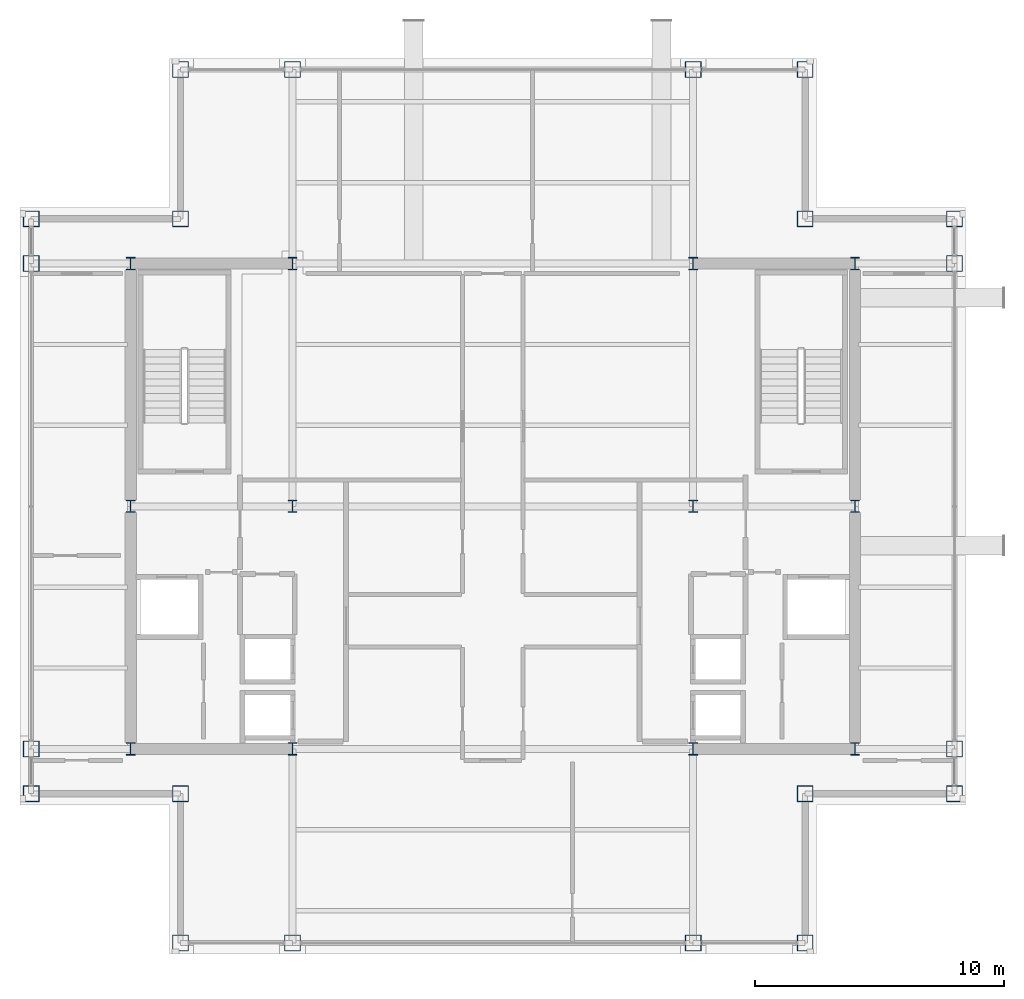
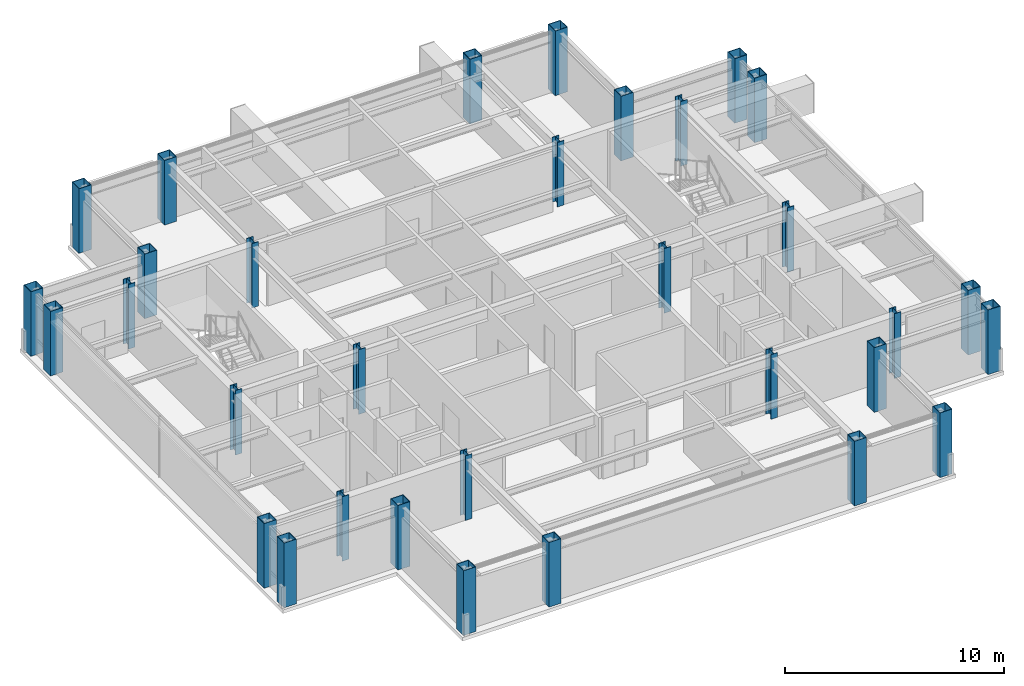
# One storey, part 1 of 20: 32 columns.
"""IFC4 building model written with IfcOpenShell, lengths in metres."""

import ifcopenshell
import ifcopenshell.guid

model = None  # the IFC model being written
_history = None  # IfcOwnerHistory: only IFC2X3 demands one
_inside = {}  # id of a spatial element -> (the spatial element, [elements in it])
_under = {}  # id of a project, library or spatial element -> (it, [spatial elements below it])
_declared = {}  # id of a project -> (the project, [libraries it declares])
_typed = {}  # id of a type object -> (the type object, [elements of that type])
_made_of = {}  # id of a material, layer set ... -> (it, [elements and type objects made of it])


def new_model(schema):
    """Start an empty IFC model of exactly this schema.

    Asked for "IFC4X3", IfcOpenShell would pick the latest addendum, in which some entities
    have other attributes; the version numbers below select the first issue.
    IFC2X3 requires an IfcOwnerHistory on every rooted entity: one is made here for all.
    """
    global model, _history
    if schema == "IFC4X3":
        model = ifcopenshell.file(schema_version=(4, 3, 0, 0))
    else:
        model = ifcopenshell.file(schema=schema)
    _inside.clear()
    _under.clear()
    _declared.clear()
    _typed.clear()
    _made_of.clear()
    _history = None
    if model.schema == "IFC2X3":
        org = make("IfcOrganization", Name="unknown")
        user = make(
            "IfcPersonAndOrganization",
            ThePerson=make("IfcPerson", FamilyName="unknown"),
            TheOrganization=org,
        )
        app = make(
            "IfcApplication",
            ApplicationDeveloper=org,
            Version="unknown",
            ApplicationFullName="unknown",
            ApplicationIdentifier="unknown",
        )
        _history = make(
            "IfcOwnerHistory",
            OwningUser=user,
            OwningApplication=app,
            ChangeAction="ADDED",
            CreationDate=0,
        )
    return model


def make(cls, **values):
    """One entity of the class cls with the attributes given. An attribute that is None is left unset."""
    return model.create_entity(
        cls, **{name: value for name, value in values.items() if value is not None}
    )


def rooted(cls, **values):
    """An entity with a GlobalId (a new one), such as an element, a storey or a relation."""
    return make(cls, GlobalId=ifcopenshell.guid.new(), OwnerHistory=_history, **values)


def si_unit(unit_type, name, prefix=None):
    """IfcSIUnit, for example si_unit("LENGTHUNIT", "METRE", prefix="MILLI")."""
    return make("IfcSIUnit", UnitType=unit_type, Prefix=prefix, Name=name)


def assignment(units):
    """IfcUnitAssignment: the units of a project."""
    return None if units is None else make("IfcUnitAssignment", Units=units)


def point(xyz):
    """IfcCartesianPoint."""
    return None if xyz is None else make("IfcCartesianPoint", Coordinates=xyz)


def direction(xyz):
    """IfcDirection."""
    return None if xyz is None else make("IfcDirection", DirectionRatios=xyz)


def frame(location, z_axis=None, x_axis=None):
    """IfcAxis2Placement3D, a coordinate frame: its origin and axes. An axis left out is left unset."""
    return make(
        "IfcAxis2Placement3D",
        Location=point(location),
        Axis=direction(z_axis),
        RefDirection=direction(x_axis),
    )


def frame_2d(location, x_axis=None):
    """IfcAxis2Placement2D, a coordinate frame in the plane: its origin and x axis."""
    return make(
        "IfcAxis2Placement2D", Location=point(location), RefDirection=direction(x_axis)
    )


def origin():
    """The frame at (0, 0, 0) with its axes left unset."""
    return frame((0.0, 0.0, 0.0))


def origin_2d():
    """The frame at (0, 0) in the plane with its x axis left unset."""
    return frame_2d((0.0, 0.0))


def place(relative_to, where):
    """IfcLocalPlacement: puts the frame where relative to a parent placement (None: the world)."""
    return make(
        "IfcLocalPlacement", PlacementRelTo=relative_to, RelativePlacement=where
    )


def context(
    kind, dimensions, precision=None, world=None, true_north=None, identifier=None
):
    """IfcGeometricRepresentationContext, for example the 3D "Model" context."""
    return make(
        "IfcGeometricRepresentationContext",
        ContextIdentifier=identifier,
        ContextType=kind,
        CoordinateSpaceDimension=dimensions,
        Precision=precision,
        WorldCoordinateSystem=world,
        TrueNorth=true_north,
    )


def subcontext(parent, identifier, kind, view, scale=None):
    """IfcGeometricRepresentationSubContext, for example "Body" below "Model"."""
    return make(
        "IfcGeometricRepresentationSubContext",
        ContextIdentifier=identifier,
        ContextType=kind,
        ParentContext=parent,
        TargetScale=scale,
        TargetView=view,
    )


def project(units=None, contexts=None):
    """IfcProject with its units and contexts."""
    return rooted(
        "IfcProject",
        Name="project",
        RepresentationContexts=contexts,
        UnitsInContext=assignment(units),
    )


def spatial(cls, under=None, at=None, **own):
    """A site, building, storey or space (cls), placed at a placement, below another one or the project."""
    s = rooted(cls, ObjectPlacement=at, **own)
    if under is not None:
        _under.setdefault(under.id(), (under, []))[1].append(s)
    return s


def profile(cls, at=None, kind="AREA", **sizes):
    """A parametric profile (cls). Its sizes go by their IFC names, for example OverallWidth=200.0."""
    return make(cls, ProfileType=kind, Position=at, **sizes)


def hollow_rectangle(**sizes):
    """IfcRectangleHollowProfileDef."""
    return profile("IfcRectangleHollowProfileDef", **sizes)


def i_section(**sizes):
    """IfcIShapeProfileDef."""
    return profile("IfcIShapeProfileDef", **sizes)


def extrude(swept, where, along, depth):
    """IfcExtrudedAreaSolid: the profile swept, set in the frame where, extruded along a direction by depth."""
    return make(
        "IfcExtrudedAreaSolid",
        SweptArea=swept,
        Position=where,
        ExtrudedDirection=direction(along),
        Depth=depth,
    )


def shape(context_of_items, identifier, shape_type, items):
    """IfcShapeRepresentation: the items that make up one representation, for example the "Body"."""
    return make(
        "IfcShapeRepresentation",
        ContextOfItems=context_of_items,
        RepresentationIdentifier=identifier,
        RepresentationType=shape_type,
        Items=items,
    )


def material(Name=None, Category=None):
    """IfcMaterial."""
    return make("IfcMaterial", Name=Name, Category=Category)


def material_profile(
    of_material, cross_section, Name=None, Category=None, Priority=None
):
    """IfcMaterialProfile: a cross section and its material."""
    return make(
        "IfcMaterialProfile",
        Name=Name,
        Material=of_material,
        Profile=cross_section,
        Priority=Priority,
        Category=Category,
    )


def profile_set(profiles, Name=None, composite=None):
    """IfcMaterialProfileSet."""
    return make(
        "IfcMaterialProfileSet",
        Name=Name,
        MaterialProfiles=profiles,
        CompositeProfile=composite,
    )


def made_of(thing, what):
    """Note that an element or type object is made of a material, layer set ...; save() writes the relation."""
    if what is not None:
        _made_of.setdefault(what.id(), (what, []))[1].append(thing)
    return thing


def type_object(cls, material=None, **own):
    """A type object (cls), such as IfcWallType, which elements share."""
    return made_of(rooted(cls, **own), material)


def element(
    cls,
    number,
    at=None,
    inside=None,
    cuts=None,
    type_object=None,
    material=None,
    context=None,
    identifier="Body",
    shape_type=None,
    held_by="IfcProductDefinitionShape",
    body=None,
    shapes=None,
    **own,
):
    """One element of the class cls, such as IfcWall. Its Tag is "e" and its number.

    at: its placement. inside: the storey or other place that contains it. cuts: it is an
    opening in that element (IfcRelVoidsElement). A single representation is given by context,
    identifier, shape_type and body (its items); several are given by shapes. held_by: the class
    of the entity that holds the representations. save() writes the other relations.
    """
    e = rooted(cls, Tag="e%d" % number, ObjectPlacement=at, **own)
    if body is not None:
        shapes = [shape(context, identifier, shape_type, body)]
    if shapes is not None:
        e.Representation = make(held_by, Representations=shapes)
    if inside is not None:
        _inside.setdefault(inside.id(), (inside, []))[1].append(e)
    if cuts is not None:
        rooted(
            "IfcRelVoidsElement", RelatingBuildingElement=cuts, RelatedOpeningElement=e
        )
    if type_object is not None:
        _typed.setdefault(type_object.id(), (type_object, []))[1].append(e)
    return made_of(e, material)


def aggregate(whole, parts):
    """IfcRelAggregates: a whole, such as a stair, and the parts it consists of."""
    return rooted("IfcRelAggregates", RelatingObject=whole, RelatedObjects=parts)


def save(model, path):
    """Write the relations noted so far, then the file.

    IfcRelAggregates (storeys below a building ...), IfcRelContainedInSpatialStructure (elements
    in a storey), IfcRelDefinesByType, IfcRelAssociatesMaterial and IfcRelDeclares: one each for
    every whole, place, type object, material and project.
    """
    for whole, parts in _under.values():
        aggregate(whole, parts)
    for where, things in _inside.values():
        rooted(
            "IfcRelContainedInSpatialStructure",
            RelatedElements=things,
            RelatingStructure=where,
        )
    for kind, things in _typed.values():
        rooted("IfcRelDefinesByType", RelatedObjects=things, RelatingType=kind)
    for what, things in _made_of.values():
        rooted("IfcRelAssociatesMaterial", RelatedObjects=things, RelatingMaterial=what)
    for by, libraries in _declared.values():
        rooted("IfcRelDeclares", RelatingContext=by, RelatedDefinitions=libraries)
    model.write(path)


model = new_model("IFC4")

# Units and contexts
model_context = context("Model", 3, precision=1e-05, world=origin(), true_north=direction((0.0, 1.0)))
body_context = subcontext(model_context, "Body", "Model", "MODEL_VIEW")
ifc_project = project(units=[si_unit("LENGTHUNIT", "METRE"), si_unit("AREAUNIT", "SQUARE_METRE"), si_unit("VOLUMEUNIT", "CUBIC_METRE"), si_unit("PLANEANGLEUNIT", "RADIAN"), si_unit("MASSUNIT", "GRAM", prefix="KILO")], contexts=[model_context])

# Site, building, storey
site_placement = place(None, origin())
site = spatial("IfcSite", under=ifc_project, at=site_placement, CompositionType="ELEMENT")
building_placement = place(site_placement, origin())
building = spatial("IfcBuilding", under=site, at=building_placement, Name="Brelmoor Portico Tower", CompositionType="ELEMENT")
storey_placement = place(building_placement, frame((0.0, 0.0, 218.39990234375)))
storey = spatial("IfcBuildingStorey", under=building, at=storey_placement, Name="L57", CompositionType="ELEMENT", Elevation=218.39990234375)

# Columns
ifc_material = material(Name="Steel Q355B", Category="steel")
ifc_material_profile_1 = material_profile(ifc_material, hollow_rectangle(XDim=0.64990234375, YDim=0.64990234375, WallThickness=0.028076171875, at=origin_2d()), Name="BOX 650x650x28")
ifc_profile_set_1 = profile_set([ifc_material_profile_1], Name="Steel Q355B")
column_type_1 = type_object("IfcColumnType", Name="COL-MEGA-650", PredefinedType="COLUMN", material=ifc_profile_set_1)
for number, where, z_axis, x_axis, name in (
    (1, (-12.550048828125, -17.550048828125, 0.0), (0.0, 0.0, 1.0), (1.0, 0.0, 0.0), "L57 Perimeter Mega-Column PS01"),
    (2, (-8.050048828125, -17.550048828125, 0.0), (0.0, 0.0, 1.0), (1.0, 0.0, 0.0), "L57 Perimeter Mega-Column PS02"),
    (3, (8.050048828125, -17.550048828125, 0.0), (0.0, 0.0, 1.0), (1.0, 0.0, 0.0), "L57 Perimeter Mega-Column PS03"),
    (4, (12.550048828125, -17.550048828125, 0.0), (0.0, 0.0, 1.0), (1.0, 0.0, 0.0), "L57 Perimeter Mega-Column PS04"),
    (5, (-12.550048828125, 17.550048828125, 0.0), (0.0, 0.0, 1.0), (1.0, 0.0, 0.0), "L57 Perimeter Mega-Column PN01"),
    (6, (-8.050048828125, 17.550048828125, 0.0), (0.0, 0.0, 1.0), (1.0, 0.0, 0.0), "L57 Perimeter Mega-Column PN02"),
    (7, (8.050048828125, 17.550048828125, 0.0), (0.0, 0.0, 1.0), (1.0, 0.0, 0.0), "L57 Perimeter Mega-Column PN03"),
    (8, (12.550048828125, 17.550048828125, 0.0), (0.0, 0.0, 1.0), (1.0, 0.0, 0.0), "L57 Perimeter Mega-Column PN04"),
    (9, (-18.550048828125, -11.550048828125, 0.0), (0.0, 0.0, 1.0), (0.0, 1.0, 0.0), "L57 Perimeter Mega-Column PW01"),
    (10, (-18.550048828125, -9.75, 0.0), (0.0, 0.0, 1.0), (0.0, 1.0, 0.0), "L57 Perimeter Mega-Column PW02"),
    (11, (-18.550048828125, 9.75, 0.0), (0.0, 0.0, 1.0), (0.0, 1.0, 0.0), "L57 Perimeter Mega-Column PW03"),
    (12, (-18.550048828125, 11.550048828125, 0.0), (0.0, 0.0, 1.0), (0.0, 1.0, 0.0), "L57 Perimeter Mega-Column PW04"),
    (13, (18.550048828125, -11.550048828125, 0.0), (0.0, 0.0, 1.0), (0.0, 1.0, 0.0), "L57 Perimeter Mega-Column PE01"),
    (14, (18.550048828125, -9.75, 0.0), (0.0, 0.0, 1.0), (0.0, 1.0, 0.0), "L57 Perimeter Mega-Column PE02"),
    (15, (18.550048828125, 9.75, 0.0), (0.0, 0.0, 1.0), (0.0, 1.0, 0.0), "L57 Perimeter Mega-Column PE03"),
    (16, (18.550048828125, 11.550048828125, 0.0), (0.0, 0.0, 1.0), (0.0, 1.0, 0.0), "L57 Perimeter Mega-Column PE04"),
    (17, (-12.550048828125, 11.550048828125, 0.0), (0.0, 0.0, 1.0), (1.0, 0.0, 0.0), "L57 Perimeter Mega-Column PC-NW"),
    (18, (12.550048828125, 11.550048828125, 0.0), (0.0, 0.0, 1.0), (1.0, 0.0, 0.0), "L57 Perimeter Mega-Column PC-NE"),
    (19, (12.550048828125, -11.550048828125, 0.0), (0.0, 0.0, 1.0), (1.0, 0.0, 0.0), "L57 Perimeter Mega-Column PC-SE"),
    (20, (-12.550048828125, -11.550048828125, 0.0), (0.0, 0.0, 1.0), (1.0, 0.0, 0.0), "L57 Perimeter Mega-Column PC-SW"),
):
    element("IfcColumn", number, at=place(storey_placement, frame(where, z_axis=z_axis, x_axis=x_axis)), inside=storey, type_object=column_type_1, Name=name, PredefinedType="COLUMN", context=body_context, shape_type="SweptSolid", body=[
        extrude(hollow_rectangle(XDim=0.64990234375, YDim=0.64990234375, WallThickness=0.028076171875, at=origin_2d()), origin(), (0.0, 0.0, 1.0), 3.60009765625),
    ])
ifc_material_profile_2 = material_profile(ifc_material, i_section(OverallWidth=0.35009765625, OverallDepth=0.5, WebThickness=0.02001953125, FlangeThickness=0.031982421875, at=origin_2d()), Name="HW 500x350x20x32")
ifc_profile_set_2 = profile_set([ifc_material_profile_2], Name="Steel Q355B")
column_type_2 = type_object("IfcColumnType", Name="COL-SPINE-500", PredefinedType="COLUMN", material=ifc_profile_set_2)
for number, where, z_axis, x_axis, name in (
    (21, (-14.550048828125, -9.75, 0.0), (0.0, 0.0, 1.0), (1.0, 0.0, 0.0), "L57 Core Spine Column CW-SW"),
    (22, (-14.550048828125, 0.0, 0.0), (0.0, 0.0, 1.0), (1.0, 0.0, 0.0), "L57 Core Spine Column CW-MW"),
    (23, (-14.550048828125, 9.75, 0.0), (0.0, 0.0, 1.0), (1.0, 0.0, 0.0), "L57 Core Spine Column CW-NW"),
    (24, (-8.050048828125, -9.75, 0.0), (0.0, 0.0, 1.0), (1.0, 0.0, 0.0), "L57 Core Spine Column CW-SE"),
    (25, (-8.050048828125, 0.0, 0.0), (0.0, 0.0, 1.0), (1.0, 0.0, 0.0), "L57 Core Spine Column CW-ME"),
    (26, (-8.050048828125, 9.75, 0.0), (0.0, 0.0, 1.0), (1.0, 0.0, 0.0), "L57 Core Spine Column CW-NE"),
    (27, (8.050048828125, -9.75, 0.0), (0.0, 0.0, 1.0), (1.0, 0.0, 0.0), "L57 Core Spine Column CE-SW"),
    (28, (8.050048828125, 0.0, 0.0), (0.0, 0.0, 1.0), (1.0, 0.0, 0.0), "L57 Core Spine Column CE-MW"),
    (29, (8.050048828125, 9.75, 0.0), (0.0, 0.0, 1.0), (1.0, 0.0, 0.0), "L57 Core Spine Column CE-NW"),
    (30, (14.550048828125, -9.75, 0.0), (0.0, 0.0, 1.0), (1.0, 0.0, 0.0), "L57 Core Spine Column CE-SE"),
    (31, (14.550048828125, 0.0, 0.0), (0.0, 0.0, 1.0), (1.0, 0.0, 0.0), "L57 Core Spine Column CE-ME"),
    (32, (14.550048828125, 9.75, 0.0), (0.0, 0.0, 1.0), (1.0, 0.0, 0.0), "L57 Core Spine Column CE-NE"),
):
    element("IfcColumn", number, at=place(storey_placement, frame(where, z_axis=z_axis, x_axis=x_axis)), inside=storey, type_object=column_type_2, Name=name, PredefinedType="COLUMN", context=body_context, shape_type="SweptSolid", body=[
        extrude(i_section(OverallWidth=0.35009765625, OverallDepth=0.5, WebThickness=0.02001953125, FlangeThickness=0.031982421875, at=origin_2d()), origin(), (0.0, 0.0, 1.0), 3.60009765625),
    ])

save(model, "model.ifc")
